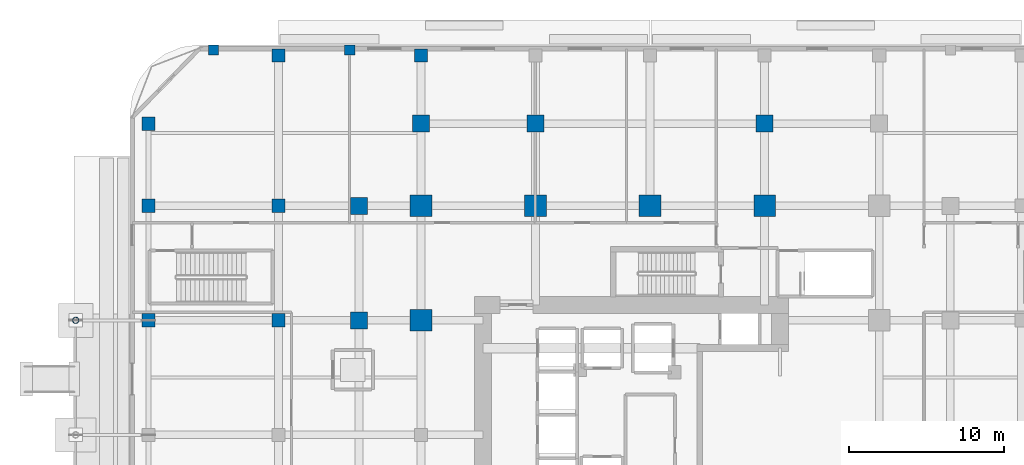
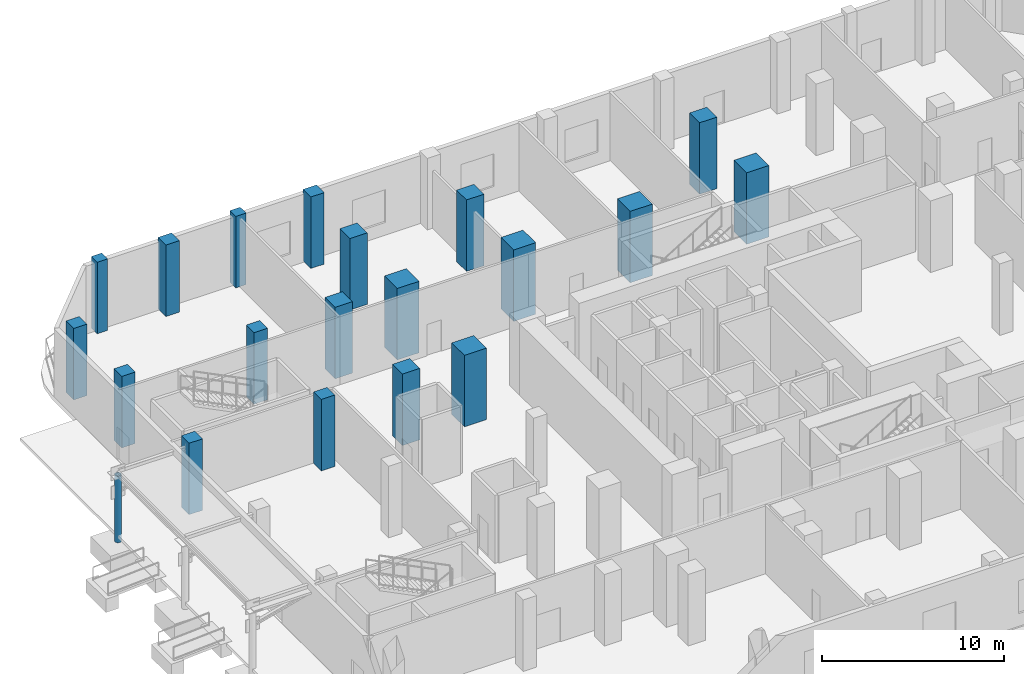
# One storey, part 4 of 24: 20 columns.
"""IFC4 building model written with IfcOpenShell, lengths in metres."""

from ifc_helpers import new_model, si_unit, direction, frame, origin, origin_2d, place, context, subcontext, project, spatial, rectangle, hollow_circle, extrude, material, material_profile, profile_set, type_object, element, save


model = new_model("IFC4")

# Units and contexts
model_context = context("Model", 3, precision=1e-05, world=origin(), true_north=direction((0.0, 1.0)))
body_context = subcontext(model_context, "Body", "Model", "MODEL_VIEW")
ifc_project = project(units=[si_unit("LENGTHUNIT", "METRE"), si_unit("AREAUNIT", "SQUARE_METRE"), si_unit("VOLUMEUNIT", "CUBIC_METRE"), si_unit("PLANEANGLEUNIT", "RADIAN"), si_unit("MASSUNIT", "GRAM", prefix="KILO")], contexts=[model_context])

# Site, building, storey
site_placement = place(None, origin())
site = spatial("IfcSite", under=ifc_project, at=site_placement, CompositionType="ELEMENT")
building_placement = place(site_placement, origin())
building = spatial("IfcBuilding", under=site, at=building_placement, Name="Khorvyn Point Tower", CompositionType="ELEMENT")
storey_placement = place(building_placement, origin())
storey = spatial("IfcBuildingStorey", under=building, at=storey_placement, Name="L01", CompositionType="ELEMENT", Elevation=0.0)

# Columns
ifc_material_1 = material(Name="Concrete C40/50", Category="concrete")
ifc_material_profile_1 = material_profile(ifc_material_1, rectangle(XDim=0.85009765625, YDim=0.85009765625, at=origin_2d()))
ifc_profile_set_1 = profile_set([ifc_material_profile_1], Name="Concrete C40/50 RC850x850")
column_type_1 = type_object("IfcColumnType", Name="Concrete C40/50 Column RC850x850", PredefinedType="COLUMN", material=ifc_profile_set_1)
for number, where, z_axis, x_axis, name in (
    (1, (-32.39990234375, 7.39990234375, 0.0), (0.0, 0.0, 1.0), (1.0, 0.0, 0.0), "PC-L01--324-+074"),
    (2, (-32.39990234375, 14.800048828125, 0.0), (0.0, 0.0, 1.0), (1.0, 0.0, 0.0), "PC-L01--324-+148"),
    (3, (-24.0, 7.39990234375, 0.0), (0.0, 0.0, 1.0), (1.0, 0.0, 0.0), "PC-L01--240-+074"),
    (4, (-24.0, 14.800048828125, 0.0), (0.0, 0.0, 1.0), (1.0, 0.0, 0.0), "PC-L01--240-+148"),
    (5, (-24.0, 24.5, 0.0), (0.0, 0.0, 1.0), (1.0, 0.0, 0.0), "PC-L01--240-+245"),
    (6, (-14.800048828125, 24.5, 0.0), (0.0, 0.0, 1.0), (1.0, 0.0, 0.0), "PC-L01--148-+245"),
    (7, (-32.39990234375, 20.10009765625, 0.0), (0.0, 0.0, 1.0), (1.0, 0.0, 0.0), "PCR-L01--32-+20"),
):
    element("IfcColumn", number, at=place(storey_placement, frame(where, z_axis=z_axis, x_axis=x_axis)), inside=storey, type_object=column_type_1, Name=name, PredefinedType="COLUMN", context=body_context, shape_type="SweptSolid", body=[
        extrude(rectangle(XDim=0.85009765625, YDim=0.85009765625, at=origin_2d()), origin(), (0.0, 0.0, 1.0), 4.800048828125),
    ])
ifc_material_profile_2 = material_profile(ifc_material_1, rectangle(XDim=0.64990234375, YDim=0.64990234375, at=origin_2d()))
ifc_profile_set_2 = profile_set([ifc_material_profile_2], Name="Concrete C40/50 RC650x650")
column_type_2 = type_object("IfcColumnType", Name="Concrete C40/50 Pilaster RC650x650", PredefinedType="PILASTER", material=ifc_profile_set_2)
for number, where, z_axis, x_axis, name in (
    (8, (-28.199951171875, 24.85009765625, 0.0), (0.0, 0.0, 1.0), (1.0, 0.0, 0.0), "L01 Colonnade Pilaster N"),
    (9, (-19.39990234375, 24.85009765625, 0.0), (0.0, 0.0, 1.0), (1.0, 0.0, 0.0), "L01 Colonnade Pilaster N"),
):
    element("IfcColumn", number, at=place(storey_placement, frame(where, z_axis=z_axis, x_axis=x_axis)), inside=storey, type_object=column_type_2, Name=name, PredefinedType="PILASTER", context=body_context, shape_type="SweptSolid", body=[
        extrude(rectangle(XDim=0.64990234375, YDim=0.64990234375, at=origin_2d()), origin(), (0.0, 0.0, 1.0), 4.800048828125),
    ])
ifc_material_2 = material(Name="Concrete C45/55", Category="concrete")
ifc_material_profile_3 = material_profile(ifc_material_2, rectangle(XDim=1.10009765625, YDim=1.10009765625, at=origin_2d()))
ifc_profile_set_3 = profile_set([ifc_material_profile_3], Name="Concrete C45/55 RC1100x1100")
column_type_3 = type_object("IfcColumnType", Name="Concrete C45/55 Column RC1100x1100", PredefinedType="COLUMN", material=ifc_profile_set_3)
for number, where, z_axis, x_axis, name in (
    (10, (-18.800048828125, 7.39990234375, 0.0), (0.0, 0.0, 1.0), (1.0, 0.0, 0.0), "L01 Intermediate Column ICW-7"),
    (11, (-18.800048828125, 14.800048828125, 0.0), (0.0, 0.0, 1.0), (1.0, 0.0, 0.0), "L01 Intermediate Column ICW-14"),
    (12, (-14.800048828125, 20.10009765625, 0.0), (0.0, 0.0, 1.0), (1.0, 0.0, 0.0), "L01 Intermediate Column ICN--14"),
    (13, (-7.39990234375, 20.10009765625, 0.0), (0.0, 0.0, 1.0), (1.0, 0.0, 0.0), "L01 Intermediate Column ICN--7"),
    (14, (7.39990234375, 20.10009765625, 0.0), (0.0, 0.0, 1.0), (1.0, 0.0, 0.0), "L01 Intermediate Column ICN-7"),
):
    element("IfcColumn", number, at=place(storey_placement, frame(where, z_axis=z_axis, x_axis=x_axis)), inside=storey, type_object=column_type_3, Name=name, PredefinedType="COLUMN", context=body_context, shape_type="SweptSolid", body=[
        extrude(rectangle(XDim=1.10009765625, YDim=1.10009765625, at=origin_2d()), origin(), (0.0, 0.0, 1.0), 4.800048828125),
    ])
ifc_material_3 = material(Name="Concrete C50/60", Category="concrete")
ifc_material_profile_4 = material_profile(ifc_material_3, rectangle(XDim=1.39990234375, YDim=1.39990234375, at=origin_2d()))
ifc_profile_set_4 = profile_set([ifc_material_profile_4], Name="Concrete C50/60 RC1400x1400")
column_type_4 = type_object("IfcColumnType", Name="Concrete C50/60 Column RC1400x1400", PredefinedType="COLUMN", material=ifc_profile_set_4)
for number, where, z_axis, x_axis, name in (
    (15, (-14.800048828125, 14.800048828125, 0.0), (0.0, 0.0, 1.0), (1.0, 0.0, 0.0), "L01 Mega-Column MC-06"),
    (16, (-7.39990234375, 14.800048828125, 0.0), (0.0, 0.0, 1.0), (1.0, 0.0, 0.0), "L01 Mega-Column MC-07"),
    (17, (0.0, 14.800048828125, 0.0), (0.0, 0.0, 1.0), (1.0, 0.0, 0.0), "L01 Mega-Column MC-08"),
    (18, (7.39990234375, 14.800048828125, 0.0), (0.0, 0.0, 1.0), (1.0, 0.0, 0.0), "L01 Mega-Column MC-09"),
    (19, (-14.800048828125, 7.39990234375, 0.0), (0.0, 0.0, 1.0), (1.0, 0.0, 0.0), "L01 Mega-Column MC-12"),
):
    element("IfcColumn", number, at=place(storey_placement, frame(where, z_axis=z_axis, x_axis=x_axis)), inside=storey, type_object=column_type_4, Name=name, PredefinedType="COLUMN", context=body_context, shape_type="SweptSolid", body=[
        extrude(rectangle(XDim=1.39990234375, YDim=1.39990234375, at=origin_2d()), origin(), (0.0, 0.0, 1.0), 4.800048828125),
    ])
ifc_material_4 = material(Name="Steel S355", Category="steel")
ifc_material_profile_5 = material_profile(ifc_material_4, hollow_circle(Radius=0.203125, WallThickness=0.01611328125, at=origin_2d()))
ifc_profile_set_5 = profile_set([ifc_material_profile_5], Name="Steel S355 CHS406.4x16")
column_type_5 = type_object("IfcColumnType", Name="Steel S355 Structural Column CHS406.4x16", PredefinedType="COLUMN", material=ifc_profile_set_5)
column_placement = place(storey_placement, frame((-37.10009765625, 7.39990234375, -0.5), z_axis=(0.0, 0.0, 1.0), x_axis=(1.0, 0.0, 0.0)))
element("IfcColumn", 20, at=column_placement, inside=storey, type_object=column_type_5, Name="L01 Monsoon Canopy Column CN-W3", PredefinedType="COLUMN", context=body_context, shape_type="SweptSolid", body=[
    extrude(hollow_circle(Radius=0.203125, WallThickness=0.01611328125, at=origin_2d()), origin(), (0.0, 0.0, 1.0), 4.4599609375),
])

save(model, "model.ifc")
